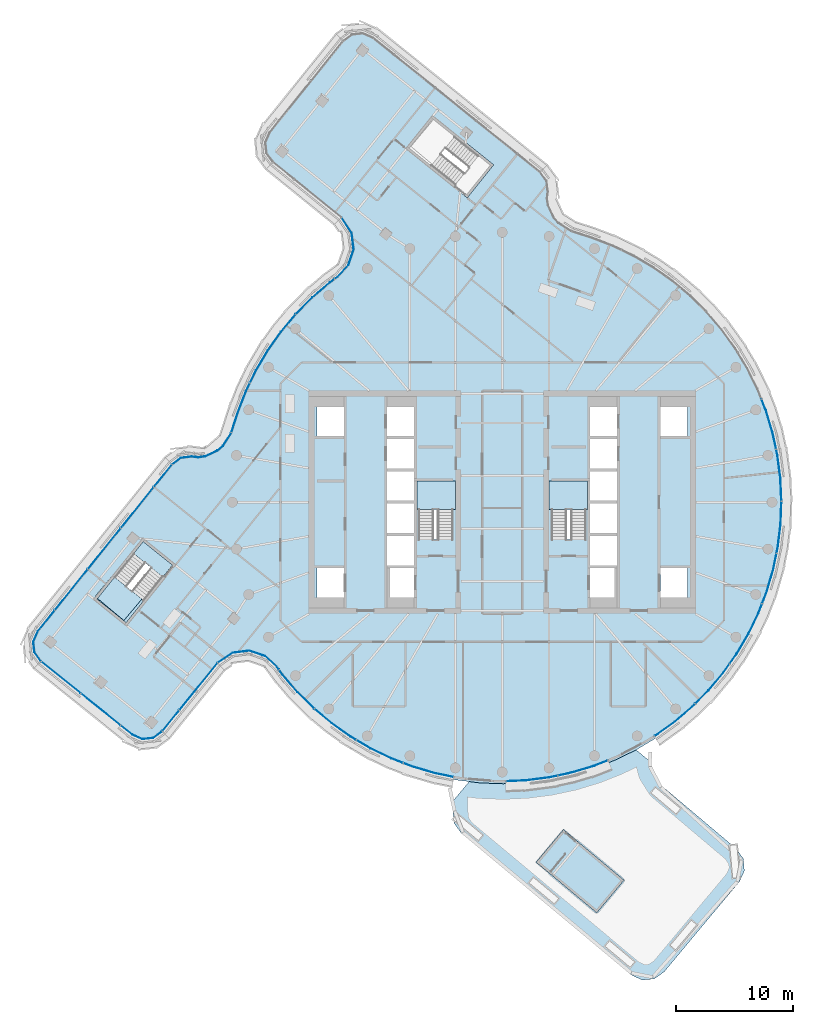
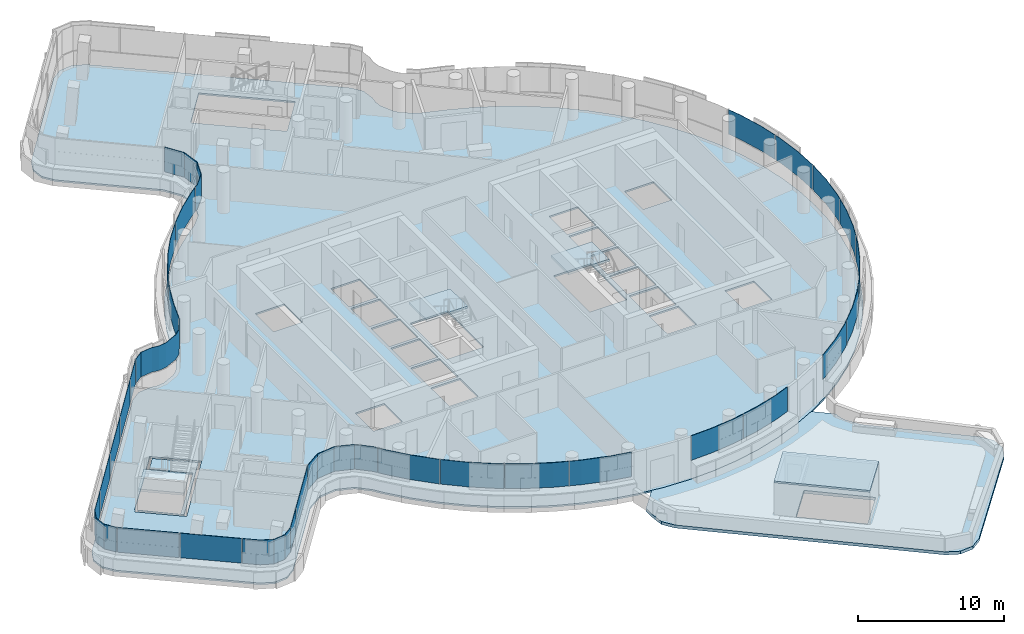
# One storey, part 13 of 25: 29 plates, 7 slabs, 8 elements without a shape of their own.
"""IFC4 building model written with IfcOpenShell, lengths in metres."""

from ifc_helpers import new_model, si_unit, direction, frame, origin, place, context, subcontext, project, spatial, polyline, outline, extrude, material, layer, layer_set, type_object, element, aggregate, save


model = new_model("IFC4")

# Units and contexts
model_context = context("Model", 3, precision=1e-05, world=origin(), true_north=direction((0.0, 1.0)))
body_context = subcontext(model_context, "Body", "Model", "MODEL_VIEW")
ifc_project = project(units=[si_unit("LENGTHUNIT", "METRE"), si_unit("AREAUNIT", "SQUARE_METRE"), si_unit("VOLUMEUNIT", "CUBIC_METRE"), si_unit("PLANEANGLEUNIT", "RADIAN"), si_unit("MASSUNIT", "GRAM", prefix="KILO")], contexts=[model_context])

# Site, building, storey
site_placement = place(None, origin())
site = spatial("IfcSite", under=ifc_project, at=site_placement, CompositionType="ELEMENT")
building_placement = place(site_placement, origin())
building = spatial("IfcBuilding", under=site, at=building_placement, Name="Tamarind Cross Interchange Tower", CompositionType="ELEMENT")
storey_placement = place(building_placement, frame((0.0, 0.0, 219.89990234375)))
storey = spatial("IfcBuildingStorey", under=building, at=storey_placement, Name="L55", CompositionType="ELEMENT", Elevation=219.89990234375)

# Slabs
ifc_material_1 = material(Name="Concrete C35", Category="concrete")
ifc_layer_1 = layer(ifc_material_1, 0.139892578125)
ifc_layer_set_1 = layer_set([ifc_layer_1], Name="Concrete C35")
slab_type_1 = type_object("IfcSlabType", Name="Composite slab 140 Concrete C35", PredefinedType="FLOOR", material=ifc_layer_set_1)
slab_1_placement = place(storey_placement, frame((0.0, 0.0, -0.139892578125)))
element("IfcSlab", 1, at=slab_1_placement, inside=storey, type_object=slab_type_1, Name="Floor slab L55", PredefinedType="FLOOR", context=body_context, shape_type="SweptSolid", body=[
    extrude(outline(polyline([(-27.462890625, 3.966064453125), (-28.27880859375, 3.3623046875), (-39.7470703125, -10.898681640625), (-40.164794921875, -11.845947265625), (-40.052978515625, -12.875244140625), (-39.441650390625, -13.710693359375), (-31.64892578125, -19.977294921875), (-30.70166015625, -20.395263671875), (-29.67236328125, -20.28369140625), (-28.8369140625, -19.672119140625), (-24.118408203125, -13.846435546875), (-22.90185546875, -13.027099609375), (-21.561767578125, -12.85791015625), (-20.286376953125, -13.302734375), (-19.36279296875, -14.148193359375), (-18.87255859375, -14.820068359375), (-17.584228515625, -16.327880859375), (-16.17578125, -17.72412109375), (-14.656982421875, -18.99951171875), (-13.0380859375, -20.14501953125), (-11.329833984375, -21.15283203125), (-9.54443359375, -22.01611328125), (-7.693603515625, -22.72900390625), (-5.79052734375, -23.286865234375), (-3.84765625, -23.685546875), (-1.878662109375, -23.92236328125), (0.103271484375, -23.99560546875), (2.08447265625, -23.9052734375), (4.051513671875, -23.651611328125), (5.99072265625, -23.236083984375), (7.88916015625, -22.662109375), (9.7333984375, -21.93310546875), (11.511474609375, -21.054443359375), (13.2109375, -20.031982421875), (14.820068359375, -18.87255859375), (16.327880859375, -17.584228515625), (17.72412109375, -16.17578125), (18.99951171875, -14.656982421875), (20.14501953125, -13.0380859375), (21.15283203125, -11.329833984375), (22.01611328125, -9.54443359375), (22.72900390625, -7.693603515625), (23.286865234375, -5.79052734375), (23.685546875, -3.84765625), (23.92236328125, -1.878662109375), (23.99560546875, 0.103271484375), (23.9052734375, 2.08447265625), (23.651611328125, 4.051513671875), (23.236083984375, 5.99072265625), (22.662109375, 7.88916015625), (21.93310546875, 9.7333984375), (21.054443359375, 11.511474609375), (20.031982421875, 13.2109375), (18.87255859375, 14.820068359375), (17.584228515625, 16.327880859375), (16.17578125, 17.72412109375), (14.656982421875, 18.99951171875), (13.0380859375, 20.14501953125), (11.329833984375, 21.15283203125), (9.54443359375, 22.01611328125), (7.693603515625, 22.72900390625), (5.972900390625, 23.28271484375), (4.923583984375, 23.95849609375), (4.564697265625, 24.37109375), (4.10107421875, 25.3740234375), (4.019287109375, 25.914794921875), (4.091552734375, 26.45556640625), (3.966064453125, 27.462890625), (3.3623046875, 28.27880859375), (-10.898681640625, 39.7470703125), (-11.845947265625, 40.164794921875), (-12.875244140625, 40.052978515625), (-13.710693359375, 39.441650390625), (-19.977294921875, 31.64892578125), (-20.395263671875, 30.70166015625), (-20.28369140625, 29.67236328125), (-19.672119140625, 28.8369140625), (-13.846435546875, 24.118408203125), (-13.027099609375, 22.90185546875), (-12.85791015625, 21.561767578125), (-13.302734375, 20.286376953125), (-14.148193359375, 19.36279296875), (-14.820068359375, 18.87255859375), (-16.327880859375, 17.584228515625), (-17.72412109375, 16.17578125), (-18.99951171875, 14.656982421875), (-20.14501953125, 13.0380859375), (-21.15283203125, 11.329833984375), (-22.01611328125, 9.54443359375), (-22.72900390625, 7.693603515625), (-23.28271484375, 5.972900390625), (-23.95849609375, 4.923583984375), (-24.37109375, 4.564697265625), (-25.3740234375, 4.10107421875), (-25.914794921875, 4.019287109375), (-26.45556640625, 4.091552734375), (-27.462890625, 3.966064453125)]), holes=[polyline([(-32.021728515625, -10.547607421875), (-32.177734375, -10.42236328125), (-34.67138671875, -8.4169921875), (-34.827392578125, -8.29150390625), (-34.648681640625, -8.0693359375), (-34.694580078125, -8.031005859375), (-32.586669921875, -5.50537109375), (-30.628662109375, -3.0703125), (-30.47265625, -3.19580078125), (-27.97900390625, -5.201171875), (-27.8232421875, -5.326416015625), (-32.021728515625, -10.547607421875)]), polyline([(-13.5, -8.125), (-15.800048828125, -8.125), (-15.800048828125, -5.625), (-13.5, -5.625), (-13.5, -8.125)]), polyline([(-7.5, -8.125), (-9.800048828125, -8.125), (-9.800048828125, -5.625), (-7.5, -5.625), (-7.5, -8.125)]), polyline([(-7.5, -2.875), (-7.5, -5.375), (-9.800048828125, -5.375), (-9.800048828125, -2.875), (-7.5, -2.875)]), polyline([(-7.5, -2.625), (-9.800048828125, -2.625), (-9.800048828125, -0.125), (-7.5, -0.125), (-7.5, -2.625)]), polyline([(-4.199951171875, 1.800048828125), (-4.199951171875, -3.18798828125), (-7.14990234375, -3.18798828125), (-7.14990234375, 1.800048828125), (-4.199951171875, 1.800048828125)]), polyline([(-7.5, 0.125), (-9.800048828125, 0.125), (-9.800048828125, 2.625), (-7.5, 2.625), (-7.5, 0.125)]), polyline([(-7.5, 2.875), (-9.800048828125, 2.875), (-9.800048828125, 5.375), (-7.5, 5.375), (-7.5, 2.875)]), polyline([(-13.5, 5.625), (-15.800048828125, 5.625), (-15.800048828125, 8.125), (-13.5, 8.125), (-13.5, 5.625)]), polyline([(-7.5, 5.625), (-9.800048828125, 5.625), (-9.800048828125, 8.125), (-7.5, 8.125), (-7.5, 5.625)]), polyline([(-8.209716796875, 30.141845703125), (-8.08447265625, 30.297607421875), (-6.0791015625, 32.79150390625), (-5.953857421875, 32.947265625), (-5.731201171875, 32.768310546875), (-5.727783203125, 32.772216796875), (-5.50537109375, 32.586669921875), (-0.732666015625, 28.74853515625), (-0.85791015625, 28.5927734375), (-2.86328125, 26.09912109375), (-2.988525390625, 25.943115234375), (-8.209716796875, 30.141845703125)]), polyline([(7.5, -5.625), (9.800048828125, -5.625), (9.800048828125, -8.125), (7.5, -8.125), (7.5, -5.625)]), polyline([(13.5, -5.625), (15.800048828125, -5.625), (15.800048828125, -8.125), (13.5, -8.125), (13.5, -5.625)]), polyline([(7.5, -2.875), (9.800048828125, -2.875), (9.800048828125, -5.375), (7.5, -5.375), (7.5, -2.875)]), polyline([(7.5, -0.125), (9.800048828125, -0.125), (9.800048828125, -2.625), (7.5, -2.625), (7.5, -0.125)]), polyline([(7.14990234375, 1.800048828125), (7.14990234375, -3.18798828125), (4.199951171875, -3.18798828125), (4.199951171875, 1.800048828125), (7.14990234375, 1.800048828125)]), polyline([(7.5, 2.625), (9.800048828125, 2.625), (9.800048828125, 0.125), (7.5, 0.125), (7.5, 2.625)]), polyline([(7.5, 5.375), (9.800048828125, 5.375), (9.800048828125, 2.875), (7.5, 2.875), (7.5, 5.375)]), polyline([(7.5, 8.125), (9.800048828125, 8.125), (9.800048828125, 5.625), (7.5, 5.625), (7.5, 8.125)]), polyline([(13.5, 8.125), (15.800048828125, 8.125), (15.800048828125, 5.625), (13.5, 5.625), (13.5, 8.125)])]), origin(), (0.0, 0.0, 1.0), 0.139892578125),
])
slab_2_placement = place(storey_placement, frame((0.0, 0.0, -0.139892578125)))
element("IfcSlab", 2, at=slab_2_placement, inside=storey, type_object=slab_type_1, Name="Floor slab L55", PredefinedType="FLOOR", context=body_context, shape_type="SweptSolid", body=[
    extrude(outline(polyline([(-28.1044921875, -5.35693359375), (-30.59814453125, -3.3515625), (-31.42041015625, -4.3740234375), (-29.05908203125, -6.272705078125), (-32.23779296875, -10.081298828125), (-34.4951171875, -8.197509765625), (-34.546142578125, -8.260986328125), (-32.052490234375, -10.266357421875), (-28.1044921875, -5.35693359375)])), origin(), (0.0, 0.0, 1.0), 0.139892578125),
])
ifc_material_2 = material(Name="Concrete C40", Category="concrete")
ifc_layer_2 = layer(ifc_material_2, 0.14990234375)
ifc_layer_set_2 = layer_set([ifc_layer_2], Name="Concrete C40")
slab_type_2 = type_object("IfcSlabType", Name="Head house roof slab 150 mm Concrete C40", PredefinedType="ROOF", material=ifc_layer_set_2)
slab_3_placement = place(storey_placement, frame((0.0, 0.0, 2.800048828125)))
element("IfcSlab", 3, at=slab_3_placement, inside=storey, type_object=slab_type_2, Name="L55 head house roof ST6", PredefinedType="ROOF", context=body_context, shape_type="SweptSolid", body=[
    extrude(outline(polyline([(2.91259765625, -30.68310546875), (8.056396484375, -34.976318359375), (10.363037109375, -32.21240234375), (5.219482421875, -27.919189453125), (2.91259765625, -30.68310546875)])), origin(), (0.0, 0.0, 1.0), 0.150146484375),
])
ifc_layer_3 = layer(ifc_material_2, 0.25)
ifc_layer_set_3 = layer_set([ifc_layer_3], Name="Concrete C40")
slab_type_3 = type_object("IfcSlabType", Name="Roof composite slab 250 Concrete C40", PredefinedType="ROOF", material=ifc_layer_set_3)
slab_4_placement = place(storey_placement, frame((0.0, 0.0, -0.25)))
element("IfcSlab", 4, at=slab_4_placement, inside=storey, type_object=slab_type_3, Name="Garden roof slab arm S", PredefinedType="ROOF", context=body_context, shape_type="SweptSolid", body=[
    extrude(outline(polyline([(-1.878662109375, -23.92236328125), (-2.813232421875, -23.809814453125), (-4.2099609375, -25.4833984375), (-4.201171875, -26.36279296875), (-4.092041015625, -27.368896484375), (-3.504638671875, -28.19287109375), (10.98046875, -40.282470703125), (11.919921875, -40.717529296875), (12.951171875, -40.624755859375), (13.797607421875, -40.028564453125), (20.205322265625, -32.351318359375), (20.640380859375, -31.411865234375), (20.54736328125, -30.380859375), (19.951416015625, -29.534423828125), (13.6064453125, -24.17919921875), (12.883056640625, -23.052734375), (12.728759765625, -22.48828125), (12.7392578125, -22.212158203125), (11.411376953125, -21.10400390625), (9.733642578125, -21.93310546875), (7.88916015625, -22.662109375), (5.99072265625, -23.236083984375), (4.051513671875, -23.6513671875), (2.08447265625, -23.9052734375), (0.103271484375, -23.995849609375), (-1.878662109375, -23.92236328125)]), holes=[polyline([(4.201416015625, -31.49853515625), (6.251953125, -29.041748046875), (10.08154296875, -32.23779296875), (8.031005859375, -34.694580078125), (4.201416015625, -31.49853515625)])]), origin(), (0.0, 0.0, 1.0), 0.25),
])

# Stair, slab
ifc_material_3 = material(Name="Exit stair")
stair_type = type_object("IfcStairType", Name="Exit stair", PredefinedType="HALF_TURN_STAIR", material=ifc_material_3)
stair_1_placement = place(storey_placement, origin())
stair_1 = element("IfcStair", 5, at=stair_1_placement, inside=storey, type_object=stair_type, Name="L55 exit stair ST1", PredefinedType="HALF_TURN_STAIR")
ifc_layer_4 = layer(ifc_material_2, 0.199951171875)
ifc_layer_set_4 = layer_set([ifc_layer_4], Name="Concrete C40")
slab_type_4 = type_object("IfcSlabType", Name="Stair landing", PredefinedType="LANDING", material=ifc_layer_set_4)
slab_5_placement = place(storey_placement, frame((0.0, 0.0, 1.60009765625)))
slab_5 = element("IfcSlab", 6, at=slab_5_placement, type_object=slab_type_4, Name="ST1 landing 1", PredefinedType="LANDING", context=body_context, shape_type="SweptSolid", body=[
    extrude(outline(polyline([(-4.0, -0.60009765625), (-4.0, 1.800048828125), (-7.25, 1.800048828125), (-7.25, -0.60009765625), (-4.0, -0.60009765625)])), origin(), (0.0, 0.0, 1.0), 0.199951171875),
])
aggregate(stair_1, [slab_5])

stair_2_placement = place(storey_placement, origin())
stair_2 = element("IfcStair", 7, at=stair_2_placement, inside=storey, type_object=stair_type, Name="L55 exit stair ST2", PredefinedType="HALF_TURN_STAIR")
slab_6_placement = place(storey_placement, frame((0.0, 0.0, 1.60009765625)))
slab_6 = element("IfcSlab", 8, at=slab_6_placement, type_object=slab_type_4, Name="ST2 landing 1", PredefinedType="LANDING", context=body_context, shape_type="SweptSolid", body=[
    extrude(outline(polyline([(7.25, -0.60009765625), (7.25, 1.800048828125), (4.0, 1.800048828125), (4.0, -0.60009765625), (7.25, -0.60009765625)])), origin(), (0.0, 0.0, 1.0), 0.199951171875),
])
aggregate(stair_2, [slab_6])

stair_3_placement = place(storey_placement, origin())
stair_3 = element("IfcStair", 9, at=stair_3_placement, inside=storey, type_object=stair_type, Name="L55 exit stair ST5", PredefinedType="HALF_TURN_STAIR")
slab_7_placement = place(storey_placement, frame((0.0, 0.0, 1.60009765625)))
slab_7 = element("IfcSlab", 10, at=slab_7_placement, type_object=slab_type_4, Name="ST5 landing 1", PredefinedType="LANDING", context=body_context, shape_type="SweptSolid", body=[
    extrude(outline(polyline([(-33.03466796875, -6.38134765625), (-34.546142578125, -8.260986328125), (-32.05224609375, -10.266357421875), (-30.540771484375, -8.38671875), (-33.03466796875, -6.38134765625)])), origin(), (0.0, 0.0, 1.0), 0.199951171875),
])
aggregate(stair_3, [slab_7])

# Curtain wall, plates
ifc_material_4 = material(Name="Aluminium 6063-T6", Category="aluminium")
ifc_layer_5 = layer(ifc_material_4, 0.139892578125)
ifc_layer_set_5 = layer_set([ifc_layer_5], Name="Aluminium 6063-T6")
curtain_wall_type_1 = type_object("IfcCurtainWallType", Name="Hotel curtain wall, 4.5 m bays", PredefinedType="NOTDEFINED", material=ifc_layer_set_5)
curtain_wall_1_placement = place(storey_placement, origin())
curtain_wall_1 = element("IfcCurtainWall", 11, at=curtain_wall_1_placement, inside=storey, type_object=curtain_wall_type_1, Name="CWS-L55-00", PredefinedType="NOTDEFINED")
ifc_material_5 = material(Name="Laminated low-e glass 6+1.52+6", Category="glass")
ifc_layer_6 = layer(ifc_material_5, 0.02392578125)
ifc_layer_set_6 = layer_set([ifc_layer_6], Name="Laminated low-e glass 6+1.52+6")
plate_type_1 = type_object("IfcPlateType", Name="Vision panel CW2", PredefinedType="CURTAIN_PANEL", material=ifc_layer_set_6)
plate_1_placement = place(storey_placement, frame((0.0, 0.0, 1.400146484375)))
plate_1 = element("IfcPlate", 12, at=plate_1_placement, type_object=plate_type_1, Name="CWP-L55-00-00", PredefinedType="CURTAIN_PANEL", context=body_context, shape_type="SweptSolid", body=[
    extrude(outline(polyline([(-39.264892578125, -13.580810546875), (-35.92529296875, -16.266357421875), (-35.9404296875, -16.28515625), (-39.280029296875, -13.599609375), (-39.264892578125, -13.580810546875)])), origin(), (0.0, 0.0, 1.0), 2.06005859375),
])
plate_2_placement = place(storey_placement, frame((0.0, 0.0, 1.400146484375)))
plate_2 = element("IfcPlate", 13, at=plate_2_placement, type_object=plate_type_1, Name="CWP-L55-00-01", PredefinedType="CURTAIN_PANEL", context=body_context, shape_type="SweptSolid", body=[
    extrude(outline(polyline([(-35.87841796875, -16.303955078125), (-32.538818359375, -18.98974609375), (-32.553955078125, -19.008544921875), (-35.8935546875, -16.32275390625), (-35.87841796875, -16.303955078125)])), origin(), (0.0, 0.0, 1.0), 2.06005859375),
])
plate_3_placement = place(storey_placement, frame((0.0, 0.0, 1.400146484375)))
plate_3 = element("IfcPlate", 14, at=plate_3_placement, type_object=plate_type_1, Name="CWP-L55-00-02", PredefinedType="CURTAIN_PANEL", context=body_context, shape_type="SweptSolid", body=[
    extrude(outline(polyline([(-32.491943359375, -19.02734375), (-31.537841796875, -19.794677734375), (-30.66796875, -20.178466796875), (-29.751708984375, -20.078857421875), (-29.00732421875, -19.5341796875), (-28.9931640625, -19.553466796875), (-29.742919921875, -20.10205078125), (-30.671875, -20.202880859375), (-31.55029296875, -19.8154296875), (-32.507080078125, -19.046142578125), (-32.491943359375, -19.02734375)])), origin(), (0.0, 0.0, 1.0), 2.06005859375),
])
aggregate(curtain_wall_1, [plate_1, plate_2, plate_3])

curtain_wall_2_placement = place(storey_placement, origin())
curtain_wall_2 = element("IfcCurtainWall", 15, at=curtain_wall_2_placement, inside=storey, type_object=curtain_wall_type_1, Name="CWS-L55-01", PredefinedType="NOTDEFINED")
plate_4_placement = place(storey_placement, frame((0.0, 0.0, 1.400146484375)))
plate_4 = element("IfcPlate", 16, at=plate_4_placement, type_object=plate_type_1, Name="CWP-L55-01-00", PredefinedType="CURTAIN_PANEL", context=body_context, shape_type="SweptSolid", body=[
    extrude(outline(polyline([(-28.966552734375, -19.495361328125), (-27.546630859375, -17.7421875), (-27.52783203125, -17.75732421875), (-28.94775390625, -19.51025390625), (-28.966552734375, -19.495361328125)])), origin(), (0.0, 0.0, 1.0), 2.06005859375),
])
plate_5_placement = place(storey_placement, frame((0.0, 0.0, 1.400146484375)))
plate_5 = element("IfcPlate", 17, at=plate_5_placement, type_object=plate_type_1, Name="CWP-L55-01-01", PredefinedType="CURTAIN_PANEL", context=body_context, shape_type="SweptSolid", body=[
    extrude(outline(polyline([(-27.5087890625, -17.695556640625), (-24.282958984375, -13.712890625), (-24.264404296875, -13.72802734375), (-27.489990234375, -17.710693359375), (-27.5087890625, -17.695556640625)])), origin(), (0.0, 0.0, 1.0), 2.06005859375),
])
aggregate(curtain_wall_2, [plate_4, plate_5])

curtain_wall_3_placement = place(storey_placement, origin())
curtain_wall_3 = element("IfcCurtainWall", 18, at=curtain_wall_3_placement, inside=storey, type_object=curtain_wall_type_1, Name="CWS-L55-07", PredefinedType="NOTDEFINED")
plate_6_placement = place(storey_placement, frame((0.0, 0.0, 1.400146484375)))
plate_6 = element("IfcPlate", 19, at=plate_6_placement, type_object=plate_type_1, Name="CWP-L55-07-00", PredefinedType="CURTAIN_PANEL", context=body_context, shape_type="SweptSolid", body=[
    extrude(outline(polyline([(-28.1484375, 3.18603515625), (-29.6640625, 1.30126953125), (-29.682861328125, 1.31640625), (-28.167236328125, 3.201171875), (-28.1484375, 3.18603515625)])), origin(), (0.0, 0.0, 1.0), 2.06005859375),
])
plate_7_placement = place(storey_placement, frame((0.0, 0.0, 1.400146484375)))
plate_7 = element("IfcPlate", 20, at=plate_7_placement, type_object=plate_type_1, Name="CWP-L55-07-01", PredefinedType="CURTAIN_PANEL", context=body_context, shape_type="SweptSolid", body=[
    extrude(outline(polyline([(-29.70166015625, 1.254638671875), (-32.47607421875, -2.195556640625), (-32.49462890625, -2.180419921875), (-29.720458984375, 1.26953125), (-29.70166015625, 1.254638671875)])), origin(), (0.0, 0.0, 1.0), 2.06005859375),
])
plate_8_placement = place(storey_placement, frame((0.0, 0.0, 1.400146484375)))
plate_8 = element("IfcPlate", 21, at=plate_8_placement, type_object=plate_type_1, Name="CWP-L55-07-02", PredefinedType="CURTAIN_PANEL", context=body_context, shape_type="SweptSolid", body=[
    extrude(outline(polyline([(-32.513671875, -2.2421875), (-35.2880859375, -5.6923828125), (-35.306884765625, -5.67724609375), (-32.5322265625, -2.22705078125), (-32.513671875, -2.2421875)])), origin(), (0.0, 0.0, 1.0), 2.06005859375),
])
plate_9_placement = place(storey_placement, frame((0.0, 0.0, 1.400146484375)))
plate_9 = element("IfcPlate", 22, at=plate_9_placement, type_object=plate_type_1, Name="CWP-L55-07-03", PredefinedType="CURTAIN_PANEL", context=body_context, shape_type="SweptSolid", body=[
    extrude(outline(polyline([(-35.32568359375, -5.739013671875), (-38.10009765625, -9.189208984375), (-38.11865234375, -9.174072265625), (-35.344482421875, -5.72412109375), (-35.32568359375, -5.739013671875)])), origin(), (0.0, 0.0, 1.0), 2.06005859375),
])
plate_10_placement = place(storey_placement, frame((0.0, 0.0, 1.400146484375)))
plate_10 = element("IfcPlate", 23, at=plate_10_placement, type_object=plate_type_1, Name="CWP-L55-07-04", PredefinedType="CURTAIN_PANEL", context=body_context, shape_type="SweptSolid", body=[
    extrude(outline(polyline([(-38.1376953125, -9.23583984375), (-39.564208984375, -11.010009765625), (-39.947998046875, -11.879638671875), (-39.848388671875, -12.7958984375), (-39.303955078125, -13.5400390625), (-39.3232421875, -13.55419921875), (-39.87158203125, -12.804931640625), (-39.972412109375, -11.875732421875), (-39.5849609375, -10.997314453125), (-38.15625, -9.220947265625), (-38.1376953125, -9.23583984375)])), origin(), (0.0, 0.0, 1.0), 2.06005859375),
])
aggregate(curtain_wall_3, [plate_6, plate_7, plate_8, plate_9, plate_10])

ifc_layer_7 = layer(ifc_material_4, 0.14990234375)
ifc_layer_set_7 = layer_set([ifc_layer_7], Name="Aluminium 6063-T6")
curtain_wall_type_2 = type_object("IfcCurtainWallType", Name="Winter garden and crown curtain wall", PredefinedType="NOTDEFINED", material=ifc_layer_set_7)
curtain_wall_4_placement = place(storey_placement, origin())
curtain_wall_4 = element("IfcCurtainWall", 24, at=curtain_wall_4_placement, inside=storey, type_object=curtain_wall_type_2, Name="CWS-L55-02", PredefinedType="NOTDEFINED")
ifc_material_6 = material(Name="Laminated low-e glass 8+1.52+8", Category="glass")
ifc_layer_8 = layer(ifc_material_6, 0.030029296875)
ifc_layer_set_8 = layer_set([ifc_layer_8], Name="Laminated low-e glass 8+1.52+8")
plate_type_2 = type_object("IfcPlateType", Name="Vision panel CW6", PredefinedType="CURTAIN_PANEL", material=ifc_layer_set_8)
plate_11_placement = place(storey_placement, frame((0.0, 0.0, 1.400146484375)))
plate_11 = element("IfcPlate", 25, at=plate_11_placement, type_object=plate_type_2, Name="CWP-L55-02-00", PredefinedType="CURTAIN_PANEL", context=body_context, shape_type="SweptSolid", body=[
    extrude(outline(polyline([(-24.23828125, -13.66796875), (-22.9794921875, -12.8203125), (-21.53857421875, -12.638427734375), (-20.173828125, -13.1142578125), (-19.20166015625, -14.00390625), (-19.019287109375, -14.254150390625), (-19.04345703125, -14.271728515625), (-19.22412109375, -14.024169921875), (-20.189453125, -13.140625), (-21.541748046875, -12.6689453125), (-22.96875, -12.84912109375), (-24.2216796875, -13.69287109375), (-24.23828125, -13.66796875)])), origin(), (0.0, 0.0, 1.0), 2.06005859375),
])
plate_12_placement = place(storey_placement, frame((0.0, 0.0, 1.400146484375)))
plate_12 = element("IfcPlate", 26, at=plate_12_placement, type_object=plate_type_2, Name="CWP-L55-02-01", PredefinedType="CURTAIN_PANEL", context=body_context, shape_type="SweptSolid", body=[
    extrude(outline(polyline([(-18.98388671875, -14.302490234375), (-18.703857421875, -14.6865234375), (-17.426513671875, -16.181396484375), (-16.03076171875, -17.565185546875), (-16.0244140625, -17.570556640625), (-16.043701171875, -17.593505859375), (-16.051025390625, -17.58740234375), (-17.448486328125, -16.201904296875), (-18.727294921875, -14.705322265625), (-19.00830078125, -14.3203125), (-18.98388671875, -14.302490234375)])), origin(), (0.0, 0.0, 1.0), 2.06005859375),
])
plate_13_placement = place(storey_placement, frame((0.0, 0.0, 1.400146484375)))
plate_13 = element("IfcPlate", 27, at=plate_13_placement, type_object=plate_type_2, Name="CWP-L55-02-02", PredefinedType="CURTAIN_PANEL", context=body_context, shape_type="SweptSolid", body=[
    extrude(outline(polyline([(-15.978515625, -17.609130859375), (-14.525634765625, -18.8291015625), (-12.921142578125, -19.96435546875), (-12.454345703125, -20.239501953125), (-12.4697265625, -20.265380859375), (-12.937255859375, -19.989501953125), (-14.5439453125, -18.852783203125), (-15.997802734375, -17.632080078125), (-15.978515625, -17.609130859375)])), origin(), (0.0, 0.0, 1.0), 2.06005859375),
])
plate_14_placement = place(storey_placement, frame((0.0, 0.0, 1.400146484375)))
plate_14 = element("IfcPlate", 28, at=plate_14_placement, type_object=plate_type_2, Name="CWP-L55-02-03", PredefinedType="CURTAIN_PANEL", context=body_context, shape_type="SweptSolid", body=[
    extrude(outline(polyline([(-12.40283203125, -20.27001953125), (-11.228271484375, -20.963134765625), (-9.458740234375, -21.818603515625), (-8.455322265625, -22.205322265625), (-8.466064453125, -22.2333984375), (-9.470703125, -21.84619140625), (-11.242431640625, -20.989501953125), (-12.41796875, -20.2958984375), (-12.40283203125, -20.27001953125)])), origin(), (0.0, 0.0, 1.0), 2.06005859375),
])
plate_15_placement = place(storey_placement, frame((0.0, 0.0, 1.400146484375)))
plate_15 = element("IfcPlate", 29, at=plate_15_placement, type_object=plate_type_2, Name="CWP-L55-02-04", PredefinedType="CURTAIN_PANEL", context=body_context, shape_type="SweptSolid", body=[
    extrude(outline(polyline([(-8.399169921875, -22.226806640625), (-7.624755859375, -22.525390625), (-5.738525390625, -23.077880859375), (-4.162109375, -23.4013671875), (-4.168212890625, -23.430908203125), (-5.745849609375, -23.107177734375), (-7.63427734375, -22.5537109375), (-8.409912109375, -22.2548828125), (-8.399169921875, -22.226806640625)])), origin(), (0.0, 0.0, 1.0), 2.06005859375),
])
plate_16_placement = place(storey_placement, frame((0.0, 0.0, 1.400146484375)))
plate_16 = element("IfcPlate", 30, at=plate_16_placement, type_object=plate_type_2, Name="CWP-L55-02-06", PredefinedType="CURTAIN_PANEL", context=body_context, shape_type="SweptSolid", body=[
    extrude(outline(polyline([(0.337646484375, -23.769775390625), (2.065673828125, -23.69091796875), (4.01513671875, -23.439453125), (4.708740234375, -23.290771484375), (4.715087890625, -23.320068359375), (4.020263671875, -23.468994140625), (2.068359375, -23.720703125), (0.339111328125, -23.7998046875), (0.337646484375, -23.769775390625)])), origin(), (0.0, 0.0, 1.0), 2.06005859375),
])
plate_17_placement = place(storey_placement, frame((0.0, 0.0, 1.400146484375)))
plate_17 = element("IfcPlate", 31, at=plate_17_placement, type_object=plate_type_2, Name="CWP-L55-02-07", PredefinedType="CURTAIN_PANEL", context=body_context, shape_type="SweptSolid", body=[
    extrude(outline(polyline([(4.767333984375, -23.2783203125), (5.93701171875, -23.02783203125), (7.818359375, -22.458740234375), (8.974365234375, -22.001953125), (8.9853515625, -22.02978515625), (7.828125, -22.487060546875), (5.944580078125, -23.056884765625), (4.773681640625, -23.3076171875), (4.767333984375, -23.2783203125)])), origin(), (0.0, 0.0, 1.0), 2.06005859375),
])
plate_18_placement = place(storey_placement, frame((0.0, 0.0, 1.400146484375)))
plate_18 = element("IfcPlate", 32, at=plate_18_placement, type_object=plate_type_2, Name="CWP-L55-02-09", PredefinedType="CURTAIN_PANEL", context=body_context, shape_type="SweptSolid", body=[
    extrude(outline(polyline([(12.98193359375, -19.918701171875), (13.09228515625, -19.852294921875), (14.68701171875, -18.703369140625), (16.181396484375, -17.426513671875), (16.423095703125, -17.182861328125), (16.4443359375, -17.203857421875), (16.201904296875, -17.448486328125), (14.70556640625, -18.72705078125), (13.10888671875, -19.87744140625), (12.99755859375, -19.9443359375), (12.98193359375, -19.918701171875)])), origin(), (0.0, 0.0, 1.0), 2.06005859375),
])
plate_19_placement = place(storey_placement, frame((0.0, 0.0, 1.400146484375)))
plate_19 = element("IfcPlate", 33, at=plate_19_placement, type_object=plate_type_2, Name="CWP-L55-02-10", PredefinedType="CURTAIN_PANEL", context=body_context, shape_type="SweptSolid", body=[
    extrude(outline(polyline([(16.46533203125, -17.14013671875), (17.565185546875, -16.03076171875), (18.8291015625, -14.525634765625), (19.33544921875, -13.8095703125), (19.360107421875, -13.826904296875), (18.852783203125, -14.5439453125), (17.58740234375, -16.051025390625), (16.486572265625, -17.161376953125), (16.46533203125, -17.14013671875)])), origin(), (0.0, 0.0, 1.0), 2.06005859375),
])
plate_20_placement = place(storey_placement, frame((0.0, 0.0, 1.400146484375)))
plate_20 = element("IfcPlate", 34, at=plate_20_placement, type_object=plate_type_2, Name="CWP-L55-02-11", PredefinedType="CURTAIN_PANEL", context=body_context, shape_type="SweptSolid", body=[
    extrude(outline(polyline([(19.3701171875, -13.7607421875), (19.96435546875, -12.921142578125), (20.963134765625, -11.228271484375), (21.818603515625, -9.458740234375), (22.1220703125, -8.67138671875), (22.150146484375, -8.68212890625), (21.84619140625, -9.470703125), (20.989501953125, -11.242431640625), (19.989501953125, -12.937255859375), (19.394775390625, -13.778076171875), (19.3701171875, -13.7607421875)])), origin(), (0.0, 0.0, 1.0), 2.06005859375),
])
plate_21_placement = place(storey_placement, frame((0.0, 0.0, 1.400146484375)))
plate_21 = element("IfcPlate", 35, at=plate_21_placement, type_object=plate_type_2, Name="CWP-L55-02-12", PredefinedType="CURTAIN_PANEL", context=body_context, shape_type="SweptSolid", body=[
    extrude(outline(polyline([(22.1435546875, -8.615478515625), (22.525390625, -7.624755859375), (23.077880859375, -5.738525390625), (23.35498046875, -4.38916015625), (23.38427734375, -4.39501953125), (23.107177734375, -5.745849609375), (22.5537109375, -7.63427734375), (22.171630859375, -8.626220703125), (22.1435546875, -8.615478515625)])), origin(), (0.0, 0.0, 1.0), 2.06005859375),
])
plate_22_placement = place(storey_placement, frame((0.0, 0.0, 1.400146484375)))
plate_22 = element("IfcPlate", 36, at=plate_22_placement, type_object=plate_type_2, Name="CWP-L55-02-13", PredefinedType="CURTAIN_PANEL", context=body_context, shape_type="SweptSolid", body=[
    extrude(outline(polyline([(23.366943359375, -4.330322265625), (23.47314453125, -3.813232421875), (23.707763671875, -1.86181640625), (23.778564453125, 0.048095703125), (23.80859375, 0.046875), (23.73779296875, -1.8642578125), (23.502685546875, -3.818115234375), (23.396240234375, -4.33642578125), (23.366943359375, -4.330322265625)])), origin(), (0.0, 0.0, 1.0), 2.06005859375),
])
plate_23_placement = place(storey_placement, frame((0.0, 0.0, 1.400146484375)))
plate_23 = element("IfcPlate", 37, at=plate_23_placement, type_object=plate_type_2, Name="CWP-L55-02-14", PredefinedType="CURTAIN_PANEL", context=body_context, shape_type="SweptSolid", body=[
    extrude(outline(polyline([(23.7802734375, 0.106689453125), (23.69091796875, 2.065673828125), (23.439453125, 4.01513671875), (23.33935546875, 4.482177734375), (23.36865234375, 4.48828125), (23.468994140625, 4.020263671875), (23.720703125, 2.068359375), (23.810302734375, 0.108154296875), (23.7802734375, 0.106689453125)])), origin(), (0.0, 0.0, 1.0), 2.06005859375),
])
plate_24_placement = place(storey_placement, frame((0.0, 0.0, 1.400146484375)))
plate_24 = element("IfcPlate", 38, at=plate_24_placement, type_object=plate_type_2, Name="CWP-L55-02-15", PredefinedType="CURTAIN_PANEL", context=body_context, shape_type="SweptSolid", body=[
    extrude(outline(polyline([(23.326904296875, 4.540771484375), (23.02783203125, 5.93701171875), (22.458740234375, 7.818359375), (22.087158203125, 8.759033203125), (22.114990234375, 8.77001953125), (22.487060546875, 7.828125), (23.056884765625, 5.944580078125), (23.356201171875, 4.547119140625), (23.326904296875, 4.540771484375)])), origin(), (0.0, 0.0, 1.0), 2.06005859375),
])
aggregate(curtain_wall_4, [plate_11, plate_12, plate_13, plate_14, plate_15, plate_16, plate_17, plate_18, plate_19, plate_20, plate_21, plate_22, plate_23, plate_24])

curtain_wall_5_placement = place(storey_placement, origin())
curtain_wall_5 = element("IfcCurtainWall", 39, at=curtain_wall_5_placement, inside=storey, type_object=curtain_wall_type_2, Name="CWS-L55-06", PredefinedType="NOTDEFINED")
plate_25_placement = place(storey_placement, frame((0.0, 0.0, 1.400146484375)))
plate_25 = element("IfcPlate", 40, at=plate_25_placement, type_object=plate_type_2, Name="CWP-L55-06-00", PredefinedType="CURTAIN_PANEL", context=body_context, shape_type="SweptSolid", body=[
    extrude(outline(polyline([(-13.66796875, 24.23828125), (-12.8203125, 22.9794921875), (-12.638427734375, 21.53857421875), (-13.1142578125, 20.173828125), (-14.00390625, 19.20166015625), (-14.254150390625, 19.019287109375), (-14.271728515625, 19.04345703125), (-14.024169921875, 19.22412109375), (-13.140625, 20.189453125), (-12.6689453125, 21.541748046875), (-12.84912109375, 22.96875), (-13.69287109375, 24.2216796875), (-13.66796875, 24.23828125)])), origin(), (0.0, 0.0, 1.0), 2.06005859375),
])
plate_26_placement = place(storey_placement, frame((0.0, 0.0, 1.400146484375)))
plate_26 = element("IfcPlate", 41, at=plate_26_placement, type_object=plate_type_2, Name="CWP-L55-06-01", PredefinedType="CURTAIN_PANEL", context=body_context, shape_type="SweptSolid", body=[
    extrude(outline(polyline([(-14.302490234375, 18.98388671875), (-14.6865234375, 18.703857421875), (-16.181396484375, 17.426513671875), (-17.565185546875, 16.03076171875), (-17.570556640625, 16.0244140625), (-17.593505859375, 16.043701171875), (-17.58740234375, 16.051025390625), (-16.201904296875, 17.448486328125), (-14.705322265625, 18.727294921875), (-14.3203125, 19.00830078125), (-14.302490234375, 18.98388671875)])), origin(), (0.0, 0.0, 1.0), 2.06005859375),
])
plate_27_placement = place(storey_placement, frame((0.0, 0.0, 1.400146484375)))
plate_27 = element("IfcPlate", 42, at=plate_27_placement, type_object=plate_type_2, Name="CWP-L55-06-02", PredefinedType="CURTAIN_PANEL", context=body_context, shape_type="SweptSolid", body=[
    extrude(outline(polyline([(-17.609130859375, 15.978515625), (-18.8291015625, 14.525634765625), (-19.96435546875, 12.921142578125), (-20.963134765625, 11.228271484375), (-21.476318359375, 10.166748046875), (-21.50341796875, 10.179931640625), (-20.989501953125, 11.242431640625), (-19.989501953125, 12.937255859375), (-18.852783203125, 14.5439453125), (-17.632080078125, 15.997802734375), (-17.609130859375, 15.978515625)])), origin(), (0.0, 0.0, 1.0), 2.06005859375),
])
plate_28_placement = place(storey_placement, frame((0.0, 0.0, 1.400146484375)))
plate_28 = element("IfcPlate", 43, at=plate_28_placement, type_object=plate_type_2, Name="CWP-L55-06-03", PredefinedType="CURTAIN_PANEL", context=body_context, shape_type="SweptSolid", body=[
    extrude(outline(polyline([(-21.50244140625, 10.11279296875), (-21.818603515625, 9.458740234375), (-22.5263671875, 7.6220703125), (-23.061279296875, 5.958740234375), (-23.08984375, 5.968017578125), (-22.5546875, 7.632080078125), (-21.84619140625, 9.470703125), (-21.529541015625, 10.1259765625), (-21.50244140625, 10.11279296875)])), origin(), (0.0, 0.0, 1.0), 2.06005859375),
])
plate_29_placement = place(storey_placement, frame((0.0, 0.0, 1.400146484375)))
plate_29 = element("IfcPlate", 44, at=plate_29_placement, type_object=plate_type_2, Name="CWP-L55-06-04", PredefinedType="CURTAIN_PANEL", context=body_context, shape_type="SweptSolid", body=[
    extrude(outline(polyline([(-23.079833984375, 5.901611328125), (-23.086669921875, 5.880126953125), (-23.794189453125, 4.781494140625), (-24.253173828125, 4.38232421875), (-25.3115234375, 3.89306640625), (-25.912841796875, 3.80224609375), (-26.45654296875, 3.874755859375), (-27.380126953125, 3.759765625), (-28.10595703125, 3.22265625), (-28.123779296875, 3.246826171875), (-27.391845703125, 3.78857421875), (-26.456298828125, 3.905029296875), (-25.9130859375, 3.83251953125), (-25.3203125, 3.922119140625), (-24.26953125, 4.407958984375), (-23.817138671875, 4.80126953125), (-23.114013671875, 5.89306640625), (-23.1083984375, 5.910888671875), (-23.079833984375, 5.901611328125)])), origin(), (0.0, 0.0, 1.0), 2.06005859375),
])
aggregate(curtain_wall_5, [plate_25, plate_26, plate_27, plate_28, plate_29])

save(model, "model.ifc")
